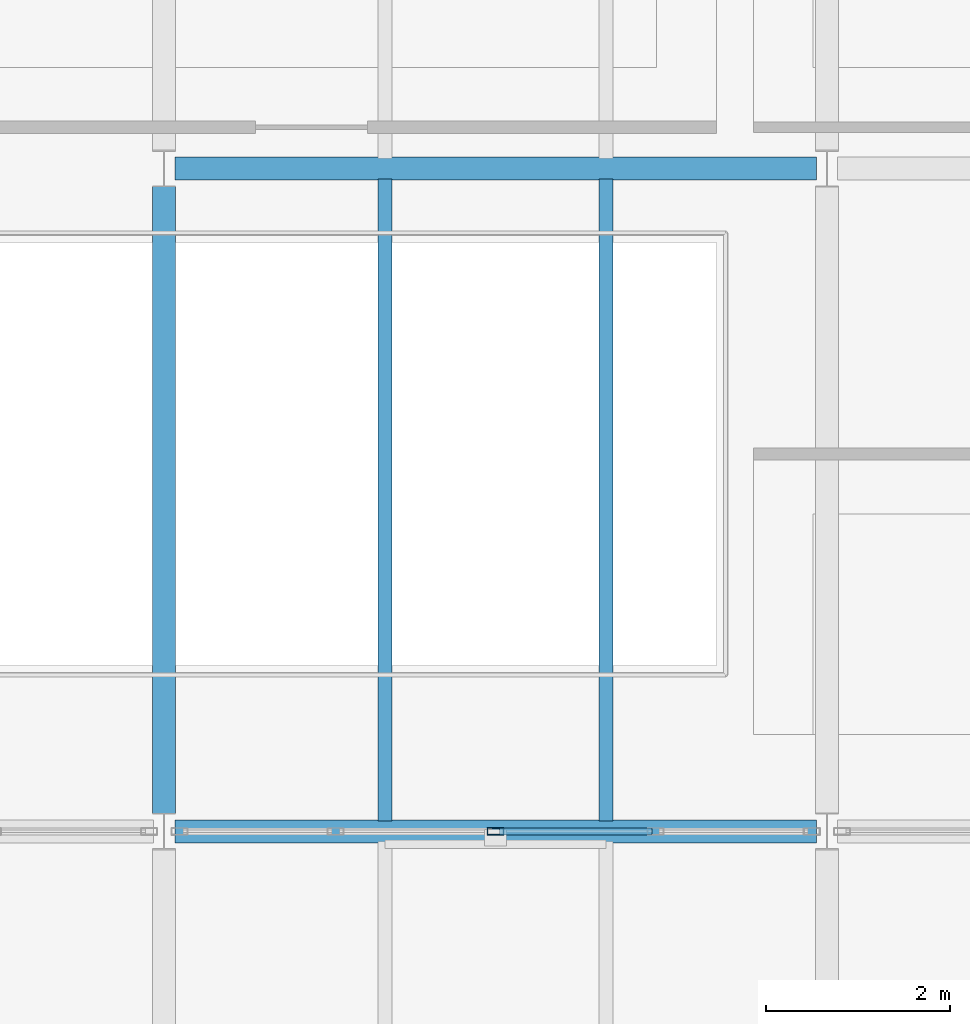
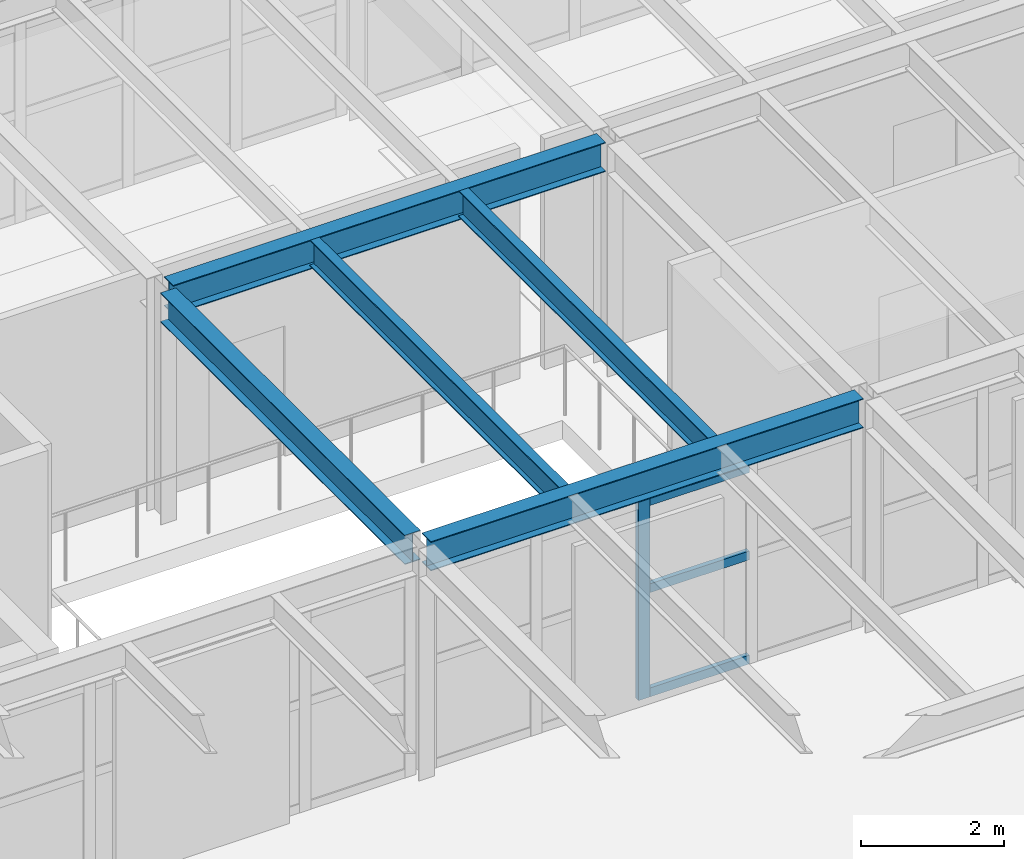
# One storey, part 16 of 59: 5 beams, 4 members, 1 element without a shape of its own.
"""IFC4 building model written with IfcOpenShell, lengths in metres."""

from ifc_helpers import new_model, si_unit, direction, frame, origin, origin_2d, place, context, subcontext, project, spatial, hollow_rectangle, i_section, extrude, material, layer, layer_set, material_profile, profile_set, type_object, element, aggregate, save


model = new_model("IFC4")

# Units and contexts
model_context = context("Model", 3, precision=1e-05, world=origin(), true_north=direction((0.0, 1.0)))
body_context = subcontext(model_context, "Body", "Model", "MODEL_VIEW")
ifc_project = project(units=[si_unit("LENGTHUNIT", "METRE"), si_unit("AREAUNIT", "SQUARE_METRE"), si_unit("VOLUMEUNIT", "CUBIC_METRE"), si_unit("PLANEANGLEUNIT", "RADIAN"), si_unit("MASSUNIT", "GRAM", prefix="KILO")], contexts=[model_context])

# Site, building, storey
site_placement = place(None, origin())
site = spatial("IfcSite", under=ifc_project, at=site_placement, CompositionType="ELEMENT")
building_placement = place(site_placement, origin())
building = spatial("IfcBuilding", under=site, at=building_placement, Name="Kandorven Conservatory and Botanical Research Centre", CompositionType="ELEMENT")
storey_placement = place(building_placement, frame((0.0, 0.0, 4.800048828125)))
storey = spatial("IfcBuildingStorey", under=building, at=storey_placement, Name="L01", CompositionType="ELEMENT", Elevation=4.800048828125)

# Beams
ifc_material_1 = material(Name="Steel S355 (IS 2062 E350)", Category="steel")
ifc_material_profile_1 = material_profile(ifc_material_1, i_section(OverallWidth=0.25, OverallDepth=0.5, WebThickness=0.010009765625, FlangeThickness=0.0146484375, at=origin_2d()))
ifc_profile_set_1 = profile_set([ifc_material_profile_1], Name="Steel S355 (IS 2062 E350)")
beam_type_1 = type_object("IfcBeamType", Name="Beam_FG-02", PredefinedType="USERDEFINED", material=ifc_profile_set_1)
for number, where, z_axis, x_axis, name in (
    (1, (63.715087890625, 13.199951171875, 3.699951171875), (1.0, 0.0, 0.0), (0.0, 1.0, 0.0), "Primary girder FG-02 VIS L01"),
    (2, (63.715087890625, 20.39990234375, 3.699951171875), (1.0, 0.0, 0.0), (0.0, 1.0, 0.0), "Primary girder FG-02 VIS L01"),
):
    element("IfcBeam", number, at=place(storey_placement, frame(where, z_axis=z_axis, x_axis=x_axis)), inside=storey, type_object=beam_type_1, Name=name, ObjectType="GIRDER", PredefinedType="USERDEFINED", context=body_context, shape_type="SweptSolid", body=[
        extrude(i_section(OverallWidth=0.25, OverallDepth=0.5, WebThickness=0.010009765625, FlangeThickness=0.0146484375, at=origin_2d()), origin(), (0.0, 0.0, 1.0), 6.969970703125),
    ])
beam_placement = place(storey_placement, frame((63.60009765625, 13.389892578125, 3.699951171875), z_axis=(0.0, 1.0, 0.0), x_axis=(-1.0, 0.0, 0.0)))
element("IfcBeam", 3, at=beam_placement, inside=storey, type_object=beam_type_1, Name="Primary girder FG-02 VIS L01", ObjectType="GIRDER", PredefinedType="USERDEFINED", context=body_context, shape_type="SweptSolid", body=[
    extrude(i_section(OverallWidth=0.25, OverallDepth=0.5, WebThickness=0.010009765625, FlangeThickness=0.0146484375, at=origin_2d()), origin(), (0.0, 0.0, 1.0), 6.820068359375),
])
ifc_material_2 = material(Name="Steel S355 (IS 2062 E350)", Category="steel")
ifc_material_profile_2 = material_profile(ifc_material_2, i_section(OverallWidth=0.14990234375, OverallDepth=0.449951171875, WebThickness=0.009521484375, FlangeThickness=0.017333984375, at=origin_2d()))
ifc_profile_set_2 = profile_set([ifc_material_profile_2], Name="Steel S355 (IS 2062 E350)")
beam_type_2 = type_object("IfcBeamType", Name="Beam_SB-04", PredefinedType="BEAM", material=ifc_profile_set_2)
for number, where, z_axis, x_axis, name in (
    (4, (66.0, 13.31005859375, 3.724853515625), (0.0, 1.0, 0.0), (-1.0, 0.0, 0.0), "Composite secondary beam SB-04 VIS L01"),
    (5, (68.39990234375, 13.31005859375, 3.724853515625), (0.0, 1.0, 0.0), (-1.0, 0.0, 0.0), "Composite secondary beam SB-04 VIS L01"),
):
    element("IfcBeam", number, at=place(storey_placement, frame(where, z_axis=z_axis, x_axis=x_axis)), inside=storey, type_object=beam_type_2, Name=name, PredefinedType="BEAM", context=body_context, shape_type="SweptSolid", body=[
        extrude(i_section(OverallWidth=0.14990234375, OverallDepth=0.449951171875, WebThickness=0.009521484375, FlangeThickness=0.017333984375, at=origin_2d()), origin(), (0.0, 0.0, 1.0), 6.97998046875),
    ])

# Curtain wall, members
ifc_material_3 = material(Name="Bronze anodised thermally broken aluminium", Category="aluminium")
ifc_layer = layer(ifc_material_3, 0.179931640625)
ifc_layer_set = layer_set([ifc_layer], Name="Bronze anodised thermally broken aluminium")
curtain_wall_type = type_object("IfcCurtainWallType", Name="CW_Unitised", PredefinedType="USERDEFINED", material=ifc_layer_set)
curtain_wall_placement = place(storey_placement, origin())
curtain_wall = element("IfcCurtainWall", 6, at=curtain_wall_placement, inside=storey, type_object=curtain_wall_type, Name="Visitor wing unitised curtain wall CW-VIS-S-L01-4", ObjectType="UNITISED GLAZING", PredefinedType="USERDEFINED")
ifc_material_4 = material(Name="Bronze anodised thermally broken aluminium", Category="aluminium")
ifc_material_profile_3 = material_profile(ifc_material_4, hollow_rectangle(XDim=0.080078125, YDim=0.179931640625, WallThickness=0.006103515625, at=origin_2d()))
ifc_profile_set_3 = profile_set([ifc_material_profile_3], Name="Bronze anodised thermally broken aluminium")
member_type_1 = type_object("IfcMemberType", Name="CW_Mullion", PredefinedType="MULLION", material=ifc_profile_set_3)
member_1_placement = place(storey_placement, frame((67.199951171875, 13.199951171875, 0.0), z_axis=(0.0, 0.0, 1.0), x_axis=(0.0, 1.0, 0.0)))
member_1 = element("IfcMember", 7, at=member_1_placement, type_object=member_type_1, Name="CW-01 mullion 3", PredefinedType="MULLION", context=body_context, shape_type="SweptSolid", body=[
    extrude(hollow_rectangle(XDim=0.080078125, YDim=0.179931640625, WallThickness=0.006103515625, at=origin_2d()), origin(), (0.0, 0.0, 1.0), 3.409912109375),
])
ifc_material_5 = material(Name="Bronze anodised thermally broken aluminium", Category="aluminium")
ifc_material_profile_4 = material_profile(ifc_material_5, hollow_rectangle(XDim=0.074951171875, YDim=0.14990234375, WallThickness=0.006103515625, at=origin_2d()))
ifc_profile_set_4 = profile_set([ifc_material_profile_4], Name="Bronze anodised thermally broken aluminium")
member_type_2 = type_object("IfcMemberType", Name="CW_Transom", PredefinedType="USERDEFINED", material=ifc_profile_set_4)
member_2_placement = place(storey_placement, frame((67.239990234375, 13.199951171875, 0.074951171875), z_axis=(1.0, 0.0, 0.0), x_axis=(0.0, 1.0, 0.0)))
member_2 = element("IfcMember", 8, at=member_2_placement, type_object=member_type_2, Name="CW-01 transom 3.1", ObjectType="TRANSOM", PredefinedType="USERDEFINED", context=body_context, shape_type="SweptSolid", body=[
    extrude(hollow_rectangle(XDim=0.074951171875, YDim=0.14990234375, WallThickness=0.006103515625, at=origin_2d()), origin(), (0.0, 0.0, 1.0), 1.657470703125),
])
member_3_placement = place(storey_placement, frame((67.239990234375, 13.199951171875, 1.849853515625), z_axis=(1.0, 0.0, 0.0), x_axis=(0.0, 1.0, 0.0)))
member_3 = element("IfcMember", 9, at=member_3_placement, type_object=member_type_2, Name="CW-01 transom 3.2", ObjectType="TRANSOM", PredefinedType="USERDEFINED", context=body_context, shape_type="SweptSolid", body=[
    extrude(hollow_rectangle(XDim=0.074951171875, YDim=0.14990234375, WallThickness=0.006103515625, at=origin_2d()), origin(), (0.0, 0.0, 1.0), 1.657470703125),
])
member_4_placement = place(storey_placement, frame((67.239990234375, 13.199951171875, 3.3349609375), z_axis=(1.0, 0.0, 0.0), x_axis=(0.0, 1.0, 0.0)))
member_4 = element("IfcMember", 10, at=member_4_placement, type_object=member_type_2, Name="CW-01 transom 3.3", ObjectType="TRANSOM", PredefinedType="USERDEFINED", context=body_context, shape_type="SweptSolid", body=[
    extrude(hollow_rectangle(XDim=0.074951171875, YDim=0.14990234375, WallThickness=0.006103515625, at=origin_2d()), origin(), (0.0, 0.0, 1.0), 1.657470703125),
])
aggregate(curtain_wall, [member_1, member_2, member_3, member_4])

save(model, "model.ifc")
